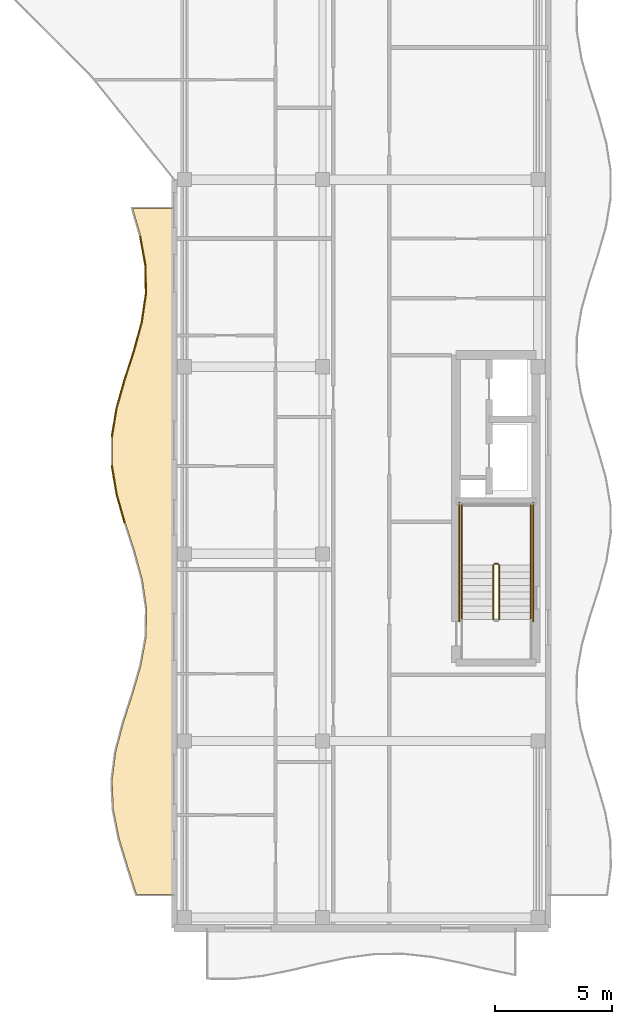
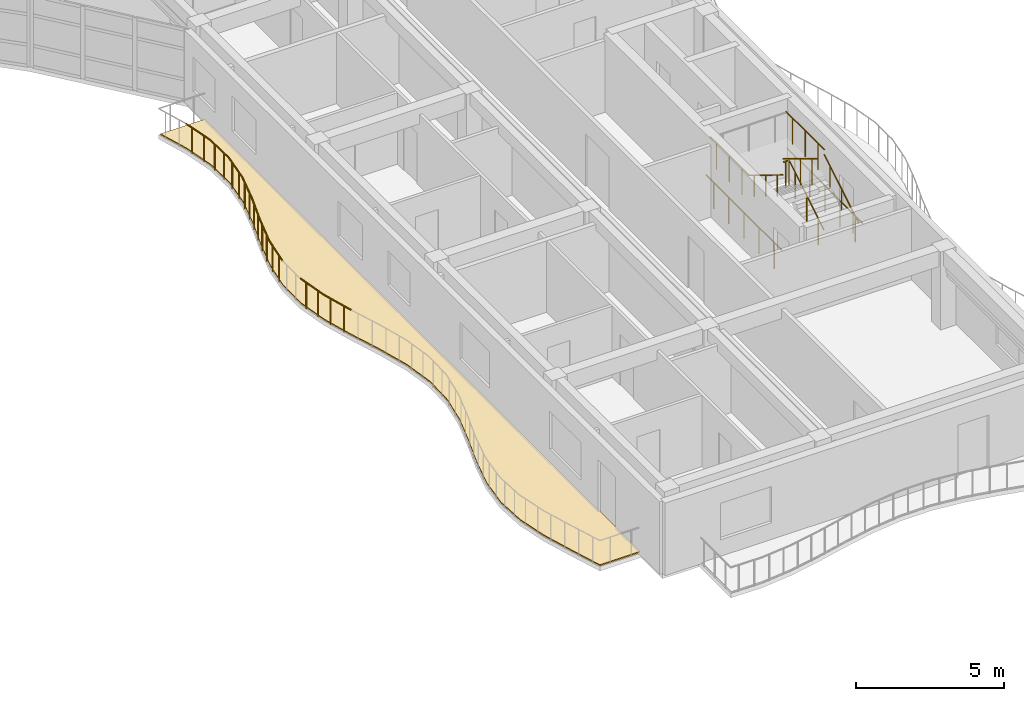
# One storey, part 71 of 76: 18 railings, 1 covering.
"""IFC4 building model written with IfcOpenShell, lengths in metres."""

from ifc_helpers import new_model, si_unit, direction, frame, origin, origin_2d, place, context, subcontext, project, spatial, polyline, circle, outline, extrude, material, layer, layer_set, type_object, element, save


model = new_model("IFC4")

# Units and contexts
model_context = context("Model", 3, precision=1e-05, world=origin(), true_north=direction((0.0, 1.0)))
body_context = subcontext(model_context, "Body", "Model", "MODEL_VIEW")
ifc_project = project(units=[si_unit("LENGTHUNIT", "METRE"), si_unit("AREAUNIT", "SQUARE_METRE"), si_unit("VOLUMEUNIT", "CUBIC_METRE"), si_unit("PLANEANGLEUNIT", "RADIAN"), si_unit("MASSUNIT", "GRAM", prefix="KILO")], contexts=[model_context])

# Site, building, storey
site_placement = place(None, origin())
site = spatial("IfcSite", under=ifc_project, at=site_placement, CompositionType="ELEMENT")
building_placement = place(site_placement, origin())
building = spatial("IfcBuilding", under=site, at=building_placement, Name="Keldmere Railside Commons", CompositionType="ELEMENT")
storey_placement = place(building_placement, frame((0.0, 0.0, 13.760009765625)))
storey = spatial("IfcBuildingStorey", under=building, at=storey_placement, Name="L04", CompositionType="ELEMENT", Elevation=13.760009765625)

# Railings
ifc_material_1 = material(Name="Steel F-24 (S235)", Category="steel")
railing_type_1 = type_object("IfcRailingType", Name="Balcony & Terrace Steel Balustrade 1100", PredefinedType="BALUSTRADE", material=ifc_material_1)
railing_1_placement = place(storey_placement, frame((165.87744140625, 73.324951171875, 0.0)))
element("IfcRailing", 1, at=railing_1_placement, inside=storey, type_object=railing_type_1, Name="GR-1 GRD-L04-3600", PredefinedType="BALUSTRADE", context=body_context, shape_type="SweptSolid", body=[
    extrude(circle(Radius=0.02392578125, at=origin_2d()), frame((0.0, 0.0, 1.076171875), z_axis=(-0.272998890324, 0.962014348065, 0.0), x_axis=(-0.962014348065, -0.272998890324, 0.0)), (0.0, 0.0, 1.0), 1.2734375),
    extrude(circle(Radius=0.02099609375, at=origin_2d()), frame((-0.0869140625, 0.30615234375, 0.0)), (0.0, 0.0, 1.0), 1.048095703125),
    extrude(circle(Radius=0.02099609375, at=origin_2d()), frame((-0.2607421875, 0.9189453125, 0.0)), (0.0, 0.0, 1.0), 1.048095703125),
])
railing_2_placement = place(storey_placement, frame((165.52978515625, 74.550048828125, 0.0)))
element("IfcRailing", 2, at=railing_2_placement, inside=storey, type_object=railing_type_1, Name="GR-1 GRD-L04-3601", PredefinedType="BALUSTRADE", context=body_context, shape_type="SweptSolid", body=[
    extrude(circle(Radius=0.02392578125, at=origin_2d()), frame((0.0, 0.0, 1.076171875), z_axis=(-0.163218973498, 0.986589867519, 0.0), x_axis=(-0.986589867519, -0.163218973498, 0.0)), (0.0, 0.0, 1.0), 1.241455078125),
    extrude(circle(Radius=0.02099609375, at=origin_2d()), frame((-0.05078125, 0.30615234375, 0.0)), (0.0, 0.0, 1.0), 1.048095703125),
    extrude(circle(Radius=0.02099609375, at=origin_2d()), frame((-0.15185546875, 0.918701171875, 0.0)), (0.0, 0.0, 1.0), 1.048095703125),
])
railing_3_placement = place(storey_placement, frame((165.326171875, 77.0, 0.0)))
element("IfcRailing", 3, at=railing_3_placement, inside=storey, type_object=railing_type_1, Name="GR-1 GRD-L04-3603", PredefinedType="BALUSTRADE", context=body_context, shape_type="SweptSolid", body=[
    extrude(circle(Radius=0.02392578125, at=origin_2d()), frame((0.0, 0.0, 1.076171875), z_axis=(0.161847234761, 0.986815825066, 0.0), x_axis=(-0.986815825066, 0.161847234761, 0.0)), (0.0, 0.0, 1.0), 1.241455078125),
    extrude(circle(Radius=0.02099609375, at=origin_2d()), frame((0.05029296875, 0.30615234375, 0.0)), (0.0, 0.0, 1.0), 1.048095703125),
    extrude(circle(Radius=0.02099609375, at=origin_2d()), frame((0.150634765625, 0.9189453125, 0.0)), (0.0, 0.0, 1.0), 1.048095703125),
])
railing_4_placement = place(storey_placement, frame((165.527099609375, 78.22509765625, 0.0)))
element("IfcRailing", 4, at=railing_4_placement, inside=storey, type_object=railing_type_1, Name="GR-1 GRD-L04-3604", PredefinedType="BALUSTRADE", context=body_context, shape_type="SweptSolid", body=[
    extrude(circle(Radius=0.02392578125, at=origin_2d()), frame((0.0, 0.0, 1.076171875), z_axis=(0.272516766795, 0.962151033786, 0.0), x_axis=(-0.962151033786, 0.272516766795, 0.0)), (0.0, 0.0, 1.0), 1.27294921875),
    extrude(circle(Radius=0.02099609375, at=origin_2d()), frame((0.086669921875, 0.30615234375, 0.0)), (0.0, 0.0, 1.0), 1.048095703125),
    extrude(circle(Radius=0.02099609375, at=origin_2d()), frame((0.26025390625, 0.918701171875, 0.0)), (0.0, 0.0, 1.0), 1.048095703125),
])
railing_5_placement = place(storey_placement, frame((165.8740234375, 79.449951171875, 0.0)))
element("IfcRailing", 5, at=railing_5_placement, inside=storey, type_object=railing_type_1, Name="GR-1 GRD-L04-3605", PredefinedType="BALUSTRADE", context=body_context, shape_type="SweptSolid", body=[
    extrude(circle(Radius=0.02392578125, at=origin_2d()), frame((0.0, 0.0, 1.076171875), z_axis=(0.307567840436, 0.951526154937, 0.0), x_axis=(-0.951526154937, 0.307567840436, 0.0)), (0.0, 0.0, 1.0), 1.28759765625),
    extrude(circle(Radius=0.02099609375, at=origin_2d()), frame((0.09912109375, 0.30615234375, 0.0)), (0.0, 0.0, 1.0), 1.048095703125),
    extrude(circle(Radius=0.02099609375, at=origin_2d()), frame((0.296875, 0.9189453125, 0.0)), (0.0, 0.0, 1.0), 1.048095703125),
])
railing_6_placement = place(storey_placement, frame((166.27001953125, 80.675048828125, 0.0)))
element("IfcRailing", 6, at=railing_6_placement, inside=storey, type_object=railing_type_1, Name="GR-1 GRD-L04-3606", PredefinedType="BALUSTRADE", context=body_context, shape_type="SweptSolid", body=[
    extrude(circle(Radius=0.02392578125, at=origin_2d()), frame((0.0, 0.0, 1.076171875), z_axis=(0.263426522792, 0.964679463392, 0.0), x_axis=(-0.964679463392, 0.263426522792, 0.0)), (0.0, 0.0, 1.0), 1.269775390625),
    extrude(circle(Radius=0.02099609375, at=origin_2d()), frame((0.08349609375, 0.30615234375, 0.0)), (0.0, 0.0, 1.0), 1.048095703125),
    extrude(circle(Radius=0.02099609375, at=origin_2d()), frame((0.2509765625, 0.918701171875, 0.0)), (0.0, 0.0, 1.0), 1.048095703125),
])
railing_7_placement = place(storey_placement, frame((166.6044921875, 81.89990234375, 0.0)))
element("IfcRailing", 7, at=railing_7_placement, inside=storey, type_object=railing_type_1, Name="GR-1 GRD-L04-3607", PredefinedType="BALUSTRADE", context=body_context, shape_type="SweptSolid", body=[
    extrude(circle(Radius=0.02392578125, at=origin_2d()), frame((0.0, 0.0, 1.076171875), z_axis=(0.145312346983, 0.989385830611, 0.0), x_axis=(-0.989385830611, 0.145312346983, 0.0)), (0.0, 0.0, 1.0), 1.23828125),
    extrude(circle(Radius=0.02099609375, at=origin_2d()), frame((0.044921875, 0.30615234375, 0.0)), (0.0, 0.0, 1.0), 1.048095703125),
    extrude(circle(Radius=0.02099609375, at=origin_2d()), frame((0.135009765625, 0.9189453125, 0.0)), (0.0, 0.0, 1.0), 1.048095703125),
])
railing_8_placement = place(storey_placement, frame((166.784423828125, 83.125, 0.0)))
element("IfcRailing", 8, at=railing_8_placement, inside=storey, type_object=railing_type_1, Name="GR-1 GRD-L04-3608", PredefinedType="BALUSTRADE", context=body_context, shape_type="SweptSolid", body=[
    extrude(circle(Radius=0.02392578125, at=origin_2d()), frame((0.0, 0.0, 1.076171875), z_axis=(-0.020322625421, 0.999793474122, 0.0), x_axis=(-0.999793474122, -0.020322625421, 0.0)), (0.0, 0.0, 1.0), 1.225341796875),
    extrude(circle(Radius=0.02099609375, at=origin_2d()), frame((-0.00634765625, 0.30615234375, 0.0)), (0.0, 0.0, 1.0), 1.048095703125),
    extrude(circle(Radius=0.02099609375, at=origin_2d()), frame((-0.0185546875, 0.9189453125, 0.0)), (0.0, 0.0, 1.0), 1.048095703125),
])
railing_9_placement = place(storey_placement, frame((166.759521484375, 84.35009765625, 0.0)))
element("IfcRailing", 9, at=railing_9_placement, inside=storey, type_object=railing_type_1, Name="GR-1 GRD-L04-3609", PredefinedType="BALUSTRADE", context=body_context, shape_type="SweptSolid", body=[
    extrude(circle(Radius=0.02392578125, at=origin_2d()), frame((0.0, 0.0, 1.076171875), z_axis=(-0.179040748428, 0.983841659213, 0.0), x_axis=(-0.983841659213, -0.179040748428, 0.0)), (0.0, 0.0, 1.0), 1.244873046875),
    extrude(circle(Radius=0.02099609375, at=origin_2d()), frame((-0.0556640625, 0.30615234375, 0.0)), (0.0, 0.0, 1.0), 1.048095703125),
    extrude(circle(Radius=0.02099609375, at=origin_2d()), frame((-0.167236328125, 0.918701171875, 0.0)), (0.0, 0.0, 1.0), 1.048095703125),
])
railing_type_2 = type_object("IfcRailingType", Name="Stair Well Steel Guardrail 1100", PredefinedType="BALUSTRADE", material=ifc_material_1)
railing_10_placement = place(storey_placement, frame((181.89990234375, 69.199951171875, 0.177734375)))
element("IfcRailing", 10, at=railing_10_placement, inside=storey, type_object=railing_type_2, Name="L04 ST-A1 stair guard 1", PredefinedType="BALUSTRADE", context=body_context, shape_type="SweptSolid", body=[
    extrude(circle(Radius=0.02392578125, at=origin_2d()), frame((0.0, 0.0, 1.076171875), z_axis=(0.0, 0.852538067394, 0.522665135287), x_axis=(-1.0, 0.0, 0.0)), (0.0, 0.0, 1.0), 2.721435546875),
    extrude(circle(Radius=0.02099609375, at=origin_2d()), frame((0.0, 0.38671875, 0.237060546875)), (0.0, 0.0, 1.0), 1.048095703125),
    extrude(circle(Radius=0.02099609375, at=origin_2d()), frame((0.0, 1.16015625, 0.711181640625)), (0.0, 0.0, 1.0), 1.048095703125),
    extrude(circle(Radius=0.02099609375, at=origin_2d()), frame((0.0, 1.933349609375, 1.185302734375)), (0.0, 0.0, 1.0), 1.048095703125),
])
railing_11_placement = place(storey_placement, frame((181.85009765625, 71.570068359375, 1.60009765625)))
element("IfcRailing", 11, at=railing_11_placement, inside=storey, type_object=railing_type_2, Name="L04 ST-A1 stair guard 2", PredefinedType="BALUSTRADE", context=body_context, shape_type="SweptSolid", body=[
    extrude(circle(Radius=0.02392578125, at=origin_2d()), frame((0.0, 0.0, 1.076171875), z_axis=(-1.0, 0.0, 0.0), x_axis=(0.0, -1.0, 0.0)), (0.0, 0.0, 1.0), 0.150146484375),
    extrude(circle(Radius=0.02099609375, at=origin_2d()), frame((-0.0751953125, 0.0, 0.0)), (0.0, 0.0, 1.0), 1.048095703125),
])
for number, where, name in (
    (12, (183.25, 71.52001953125, 1.60009765625), "L04 ST-A1 stair guard 3"),
    (13, (180.300048828125, 71.52001953125, 1.60009765625), "L04 ST-A1 stair guard 4"),
):
    element("IfcRailing", number, at=place(storey_placement, frame(where)), inside=storey, type_object=railing_type_2, Name=name, PredefinedType="BALUSTRADE", context=body_context, shape_type="SweptSolid", body=[
        extrude(circle(Radius=0.02392578125, at=origin_2d()), frame((0.0, 0.0, 1.076171875), z_axis=(0.0, 1.0, 0.0), x_axis=(-1.0, 0.0, 0.0)), (0.0, 0.0, 1.0), 2.580078125),
        extrude(circle(Radius=0.02099609375, at=origin_2d()), frame((0.0, 0.429931640625, 0.0)), (0.0, 0.0, 1.0), 1.048095703125),
        extrude(circle(Radius=0.02099609375, at=origin_2d()), frame((0.0, 1.2900390625, 0.0)), (0.0, 0.0, 1.0), 1.048095703125),
        extrude(circle(Radius=0.02099609375, at=origin_2d()), frame((0.0, 2.150146484375, 0.0)), (0.0, 0.0, 1.0), 1.048095703125),
    ])
railing_12_placement = place(storey_placement, frame((181.64990234375, 71.52001953125, 1.77783203125)))
element("IfcRailing", 14, at=railing_12_placement, inside=storey, type_object=railing_type_2, Name="L04 ST-A1 stair guard 6", PredefinedType="BALUSTRADE", context=body_context, shape_type="SweptSolid", body=[
    extrude(circle(Radius=0.02392578125, at=origin_2d()), frame((0.0, 0.0, 1.076171875), z_axis=(0.0, -0.852578041948, 0.522599925744), x_axis=(1.0, 0.0, 0.0)), (0.0, 0.0, 1.0), 2.72119140625),
    extrude(circle(Radius=0.02099609375, at=origin_2d()), frame((0.0, -0.38671875, 0.237060546875)), (0.0, 0.0, 1.0), 1.048095703125),
    extrude(circle(Radius=0.02099609375, at=origin_2d()), frame((0.0, -1.16015625, 0.7109375)), (0.0, 0.0, 1.0), 1.048095703125),
    extrude(circle(Radius=0.02099609375, at=origin_2d()), frame((0.0, -1.933349609375, 1.18505859375)), (0.0, 0.0, 1.0), 1.048095703125),
])
for number, where, name in (
    (15, (183.35009765625, 69.10009765625, 0.0), "L04 ST-A1 stair guard 10"),
    (16, (180.199951171875, 69.10009765625, 0.0), "L04 ST-A1 stair guard 11"),
):
    element("IfcRailing", number, at=place(storey_placement, frame(where)), inside=storey, type_object=railing_type_2, Name=name, PredefinedType="BALUSTRADE", context=body_context, shape_type="SweptSolid", body=[
        extrude(circle(Radius=0.02392578125, at=origin_2d()), frame((0.0, 0.0, 1.076171875), z_axis=(0.0, 1.0, 0.0), x_axis=(-1.0, 0.0, 0.0)), (0.0, 0.0, 1.0), 5.099853515625),
        extrude(circle(Radius=0.02099609375, at=origin_2d()), frame((0.0, 0.510009765625, 0.0)), (0.0, 0.0, 1.0), 1.048095703125),
        extrude(circle(Radius=0.02099609375, at=origin_2d()), frame((0.0, 1.530029296875, 0.0)), (0.0, 0.0, 1.0), 1.048095703125),
        extrude(circle(Radius=0.02099609375, at=origin_2d()), frame((0.0, 2.5498046875, 0.0)), (0.0, 0.0, 1.0), 1.048095703125),
        extrude(circle(Radius=0.02099609375, at=origin_2d()), frame((0.0, 3.56982421875, 0.0)), (0.0, 0.0, 1.0), 1.048095703125),
        extrude(circle(Radius=0.02099609375, at=origin_2d()), frame((0.0, 4.58984375, 0.0)), (0.0, 0.0, 1.0), 1.048095703125),
    ])
railing_type_3 = type_object("IfcRailingType", Name="Wall-Mounted Tubular Steel Handrail 900", PredefinedType="HANDRAIL", material=ifc_material_1)
railing_13_placement = place(storey_placement, frame((183.25, 69.199951171875, 0.177734375)))
element("IfcRailing", 17, at=railing_13_placement, inside=storey, type_object=railing_type_3, Name="L04 ST-A1 stair handrail 1", PredefinedType="HANDRAIL", context=body_context, shape_type="SweptSolid", body=[
    extrude(circle(Radius=0.02392578125, at=origin_2d()), frame((0.0, 0.0, 0.8759765625), z_axis=(0.0, 0.852538067394, 0.522665135287), x_axis=(-1.0, 0.0, 0.0)), (0.0, 0.0, 1.0), 2.721435546875),
    extrude(circle(Radius=0.02099609375, at=origin_2d()), frame((0.0, 0.38671875, 0.237060546875)), (0.0, 0.0, 1.0), 0.847900390625),
    extrude(circle(Radius=0.02099609375, at=origin_2d()), frame((0.0, 1.16015625, 0.711181640625)), (0.0, 0.0, 1.0), 0.847900390625),
    extrude(circle(Radius=0.02099609375, at=origin_2d()), frame((0.0, 1.933349609375, 1.185302734375)), (0.0, 0.0, 1.0), 0.847900390625),
])
railing_14_placement = place(storey_placement, frame((180.300048828125, 71.52001953125, 1.77783203125)))
element("IfcRailing", 18, at=railing_14_placement, inside=storey, type_object=railing_type_3, Name="L04 ST-A1 stair handrail 2", PredefinedType="HANDRAIL", context=body_context, shape_type="SweptSolid", body=[
    extrude(circle(Radius=0.02392578125, at=origin_2d()), frame((0.0, 0.0, 0.8759765625), z_axis=(0.0, -0.852578041948, 0.522599925744), x_axis=(1.0, 0.0, 0.0)), (0.0, 0.0, 1.0), 2.72119140625),
    extrude(circle(Radius=0.02099609375, at=origin_2d()), frame((0.0, -0.38671875, 0.237060546875)), (0.0, 0.0, 1.0), 0.847900390625),
    extrude(circle(Radius=0.02099609375, at=origin_2d()), frame((0.0, -1.16015625, 0.7109375)), (0.0, 0.0, 1.0), 0.847900390625),
    extrude(circle(Radius=0.02099609375, at=origin_2d()), frame((0.0, -1.933349609375, 1.18505859375)), (0.0, 0.0, 1.0), 0.847900390625),
])

# Covering
ifc_material_2 = material(Name="White Precast Concrete C35/45", Category="concrete")
ifc_layer = layer(ifc_material_2, 0.044921875, Name="White Architectural Balcony Ribbon Cladding 45")
ifc_layer_set = layer_set([ifc_layer], Name="White Precast Concrete C35/45")
covering_type = type_object("IfcCoveringType", Name="White Architectural Balcony Ribbon Cladding 45", PredefinedType="FLOORING", material=ifc_layer_set)
covering_placement = place(storey_placement, origin())
element("IfcCovering", 19, at=covering_placement, inside=storey, type_object=covering_type, Name="CLG-WB A L04 CW White Balcony Ribbon", PredefinedType="FLOORING", context=body_context, shape_type="SweptSolid", body=[
    extrude(outline(polyline([(167.9599609375, 86.760009765625), (166.231201171875, 86.760009765625), (166.574951171875, 85.586181640625), (166.575927734375, 85.582275390625), (166.798828125, 84.357177734375), (166.79931640625, 84.35400390625), (166.79931640625, 84.350830078125), (166.824462890625, 83.125732421875), (166.82421875, 83.12255859375), (166.823974609375, 83.119140625), (166.64404296875, 81.894287109375), (166.64306640625, 81.889404296875), (166.30859375, 80.66455078125), (166.30810546875, 80.66259765625), (165.912353515625, 79.4384765625), (165.56640625, 78.21630859375), (165.3662109375, 76.996826171875), (165.3671875, 75.7783203125), (165.56884765625, 74.558837890625), (165.915771484375, 73.336669921875), (166.311279296875, 72.1123046875), (166.31201171875, 72.110595703125), (166.6455078125, 70.885498046875), (166.646484375, 70.880859375), (166.82470703125, 69.65576171875), (166.824951171875, 69.652587890625), (166.8251953125, 69.649169921875), (166.79833984375, 68.424072265625), (166.798095703125, 68.4208984375), (166.797607421875, 68.417724609375), (166.5732421875, 67.19287109375), (166.572265625, 67.188720703125), (166.212890625, 65.963623046875), (166.212646484375, 65.962646484375), (165.81884765625, 64.73876953125), (165.5009765625, 63.517333984375), (165.3466796875, 62.29833984375), (165.399169921875, 61.079833984375), (165.643310546875, 59.859619140625), (166.01220703125, 58.636962890625), (166.39404296875, 57.43994140625), (167.9599609375, 57.43994140625), (167.9599609375, 86.760009765625)])), origin(), (0.0, 0.0, 1.0), 0.044921875),
])

save(model, "model.ifc")
